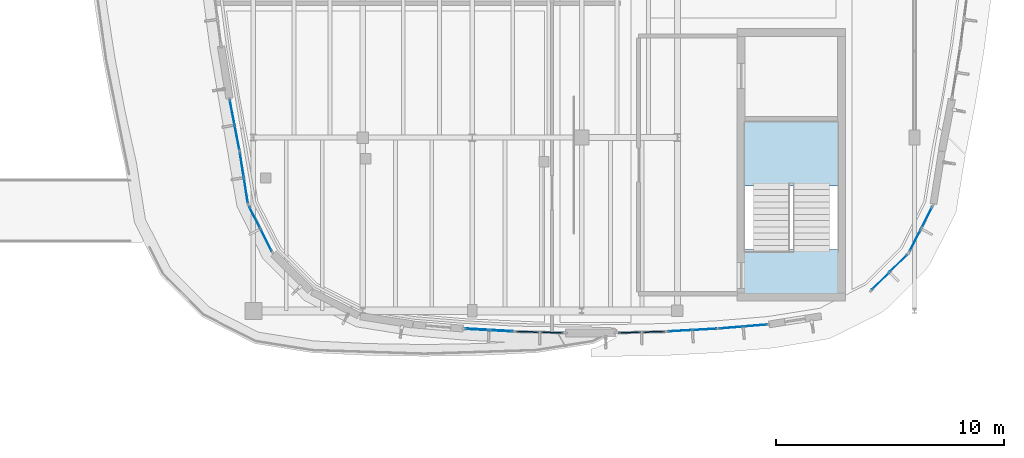
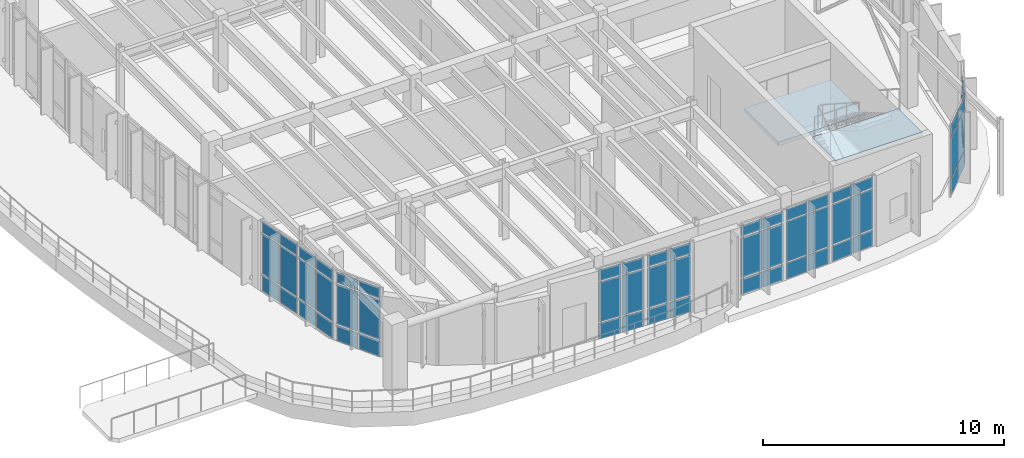
# One storey, part 71 of 105: 59 plates, 2 slabs, 11 elements without a shape of their own.
"""IFC4 building model written with IfcOpenShell, lengths in metres."""

from ifc_helpers import new_model, si_unit, direction, frame, origin, origin_2d, place, context, subcontext, project, spatial, polyline, rectangle, outline, extrude, material, layer, layer_set, type_object, element, aggregate, save


model = new_model("IFC4")

# Units and contexts
model_context = context("Model", 3, precision=1e-05, world=origin(), true_north=direction((0.0, 1.0)))
body_context = subcontext(model_context, "Body", "Model", "MODEL_VIEW")
ifc_project = project(units=[si_unit("LENGTHUNIT", "METRE"), si_unit("AREAUNIT", "SQUARE_METRE"), si_unit("VOLUMEUNIT", "CUBIC_METRE"), si_unit("PLANEANGLEUNIT", "RADIAN"), si_unit("MASSUNIT", "GRAM", prefix="KILO")], contexts=[model_context])

# Site, building, storey
site_placement = place(None, origin())
site = spatial("IfcSite", under=ifc_project, at=site_placement, CompositionType="ELEMENT")
building_placement = place(site_placement, origin())
building = spatial("IfcBuilding", under=site, at=building_placement, Name="Corveleigh Park Community Centre", CompositionType="ELEMENT")
storey_placement = place(building_placement, frame((0.0, 0.0, 8.699951171875)))
storey = spatial("IfcBuildingStorey", under=building, at=storey_placement, Name="L02", CompositionType="ELEMENT", Elevation=8.699951171875)

# Curtain wall, plates
ifc_material_1 = material(Name="Anodised aluminium 6063-T6", Category="aluminium")
curtain_wall_type = type_object("IfcCurtainWallType", Name="CW-SYS-V4-L01", PredefinedType="NOTDEFINED", material=ifc_material_1)
curtain_wall_1_placement = place(storey_placement, origin())
curtain_wall_1 = element("IfcCurtainWall", 1, at=curtain_wall_1_placement, inside=storey, type_object=curtain_wall_type, Name="V4 L02 Curtain Wall 361", PredefinedType="NOTDEFINED")
ifc_material_2 = material(Name="Low-E double glazing", Category="glass")
ifc_layer_1 = layer(ifc_material_2, 0.02392578125, Name="Low-E double glazing", Category="glass")
ifc_layer_set_1 = layer_set([ifc_layer_1], Name="Low-E double glazing")
plate_type_1 = type_object("IfcPlateType", Name="CWP-GLZ-24", PredefinedType="CURTAIN_PANEL", material=ifc_layer_set_1)
plate_1_placement = place(storey_placement, frame((159.19921875, 57.784423828125, 0.06005859375), z_axis=(0.0, 0.0, 1.0), x_axis=(-0.998456181902, -0.055545052181, 0.0)))
plate_1 = element("IfcPlate", 2, at=plate_1_placement, type_object=plate_type_1, Name="CW08 panel 1.1", PredefinedType="CURTAIN_PANEL", context=body_context, shape_type="SweptSolid", body=[
    extrude(rectangle(XDim=1.01708984375, YDim=0.02392578125, at=origin_2d()), origin(), (0.0, 0.0, 1.0), 0.81005859375),
])
plate_2_placement = place(storey_placement, frame((159.19921875, 57.784423828125, 0.93017578125), z_axis=(0.0, 0.0, 1.0), x_axis=(-0.998456181902, -0.055545052181, 0.0)))
plate_2 = element("IfcPlate", 3, at=plate_2_placement, type_object=plate_type_1, Name="CW08 panel 1.2", PredefinedType="CURTAIN_PANEL", context=body_context, shape_type="SweptSolid", body=[
    extrude(rectangle(XDim=1.01708984375, YDim=0.02392578125, at=origin_2d()), origin(), (0.0, 0.0, 1.0), 2.031982421875),
])
plate_3_placement = place(storey_placement, frame((159.19921875, 57.784423828125, 3.02197265625), z_axis=(0.0, 0.0, 1.0), x_axis=(-0.998456181902, -0.055545052181, 0.0)))
plate_3 = element("IfcPlate", 4, at=plate_3_placement, type_object=plate_type_1, Name="CW08 panel 1.3", PredefinedType="CURTAIN_PANEL", context=body_context, shape_type="SweptSolid", body=[
    extrude(rectangle(XDim=1.01708984375, YDim=0.02392578125, at=origin_2d()), origin(), (0.0, 0.0, 1.0), 0.56005859375),
])
plate_4_placement = place(storey_placement, frame((158.123779296875, 57.724609375, 0.06005859375), z_axis=(0.0, 0.0, 1.0), x_axis=(-0.998456181902, -0.055545052181, 0.0)))
plate_4 = element("IfcPlate", 5, at=plate_4_placement, type_object=plate_type_1, Name="CW08 panel 2.1", PredefinedType="CURTAIN_PANEL", context=body_context, shape_type="SweptSolid", body=[
    extrude(rectangle(XDim=1.01708984375, YDim=0.02392578125, at=origin_2d()), origin(), (0.0, 0.0, 1.0), 0.81005859375),
])
plate_5_placement = place(storey_placement, frame((158.123779296875, 57.724609375, 0.93017578125), z_axis=(0.0, 0.0, 1.0), x_axis=(-0.998456181902, -0.055545052181, 0.0)))
plate_5 = element("IfcPlate", 6, at=plate_5_placement, type_object=plate_type_1, Name="CW08 panel 2.2", PredefinedType="CURTAIN_PANEL", context=body_context, shape_type="SweptSolid", body=[
    extrude(rectangle(XDim=1.01708984375, YDim=0.02392578125, at=origin_2d()), origin(), (0.0, 0.0, 1.0), 2.031982421875),
])
plate_6_placement = place(storey_placement, frame((158.123779296875, 57.724609375, 3.02197265625), z_axis=(0.0, 0.0, 1.0), x_axis=(-0.998456181902, -0.055545052181, 0.0)))
plate_6 = element("IfcPlate", 7, at=plate_6_placement, type_object=plate_type_1, Name="CW08 panel 2.3", PredefinedType="CURTAIN_PANEL", context=body_context, shape_type="SweptSolid", body=[
    extrude(rectangle(XDim=1.01708984375, YDim=0.02392578125, at=origin_2d()), origin(), (0.0, 0.0, 1.0), 0.56005859375),
])
aggregate(curtain_wall_1, [plate_1, plate_2, plate_3, plate_4, plate_5, plate_6])

curtain_wall_2_placement = place(storey_placement, origin())
curtain_wall_2 = element("IfcCurtainWall", 8, at=curtain_wall_2_placement, inside=storey, type_object=curtain_wall_type, Name="V4 L02 Curtain Wall 362", PredefinedType="NOTDEFINED")
plate_7_placement = place(storey_placement, frame((161.42041015625, 57.9521484375, 0.06494140625), z_axis=(0.0, 0.0, 1.0), x_axis=(-0.996601713686, -0.082371258806, 0.0)))
plate_7 = element("IfcPlate", 9, at=plate_7_placement, type_object=plate_type_1, Name="CW08 panel 1.1", PredefinedType="CURTAIN_PANEL", context=body_context, shape_type="SweptSolid", body=[
    extrude(rectangle(XDim=1.00732421875, YDim=0.02392578125, at=origin_2d()), origin(), (0.0, 0.0, 1.0), 0.802490234375),
])
plate_8_placement = place(storey_placement, frame((161.42041015625, 57.9521484375, 0.9326171875), z_axis=(0.0, 0.0, 1.0), x_axis=(-0.996601713686, -0.082371258806, 0.0)))
plate_8 = element("IfcPlate", 10, at=plate_8_placement, type_object=plate_type_1, Name="CW08 panel 1.2", PredefinedType="CURTAIN_PANEL", context=body_context, shape_type="SweptSolid", body=[
    extrude(rectangle(XDim=1.00732421875, YDim=0.02392578125, at=origin_2d()), origin(), (0.0, 0.0, 1.0), 2.027099609375),
])
plate_9_placement = place(storey_placement, frame((161.42041015625, 57.9521484375, 3.0244140625), z_axis=(0.0, 0.0, 1.0), x_axis=(-0.996601713686, -0.082371258806, 0.0)))
plate_9 = element("IfcPlate", 11, at=plate_9_placement, type_object=plate_type_1, Name="CW08 panel 1.3", PredefinedType="CURTAIN_PANEL", context=body_context, shape_type="SweptSolid", body=[
    extrude(rectangle(XDim=1.00732421875, YDim=0.02392578125, at=origin_2d()), origin(), (0.0, 0.0, 1.0), 0.552490234375),
])
plate_10_placement = place(storey_placement, frame((160.351806640625, 57.86376953125, 0.06494140625), z_axis=(0.0, 0.0, 1.0), x_axis=(-0.996601713686, -0.082371258806, 0.0)))
plate_10 = element("IfcPlate", 12, at=plate_10_placement, type_object=plate_type_1, Name="CW08 panel 2.1", PredefinedType="CURTAIN_PANEL", context=body_context, shape_type="SweptSolid", body=[
    extrude(rectangle(XDim=1.00732421875, YDim=0.02392578125, at=origin_2d()), origin(), (0.0, 0.0, 1.0), 0.802490234375),
])
plate_11_placement = place(storey_placement, frame((160.351806640625, 57.86376953125, 0.9326171875), z_axis=(0.0, 0.0, 1.0), x_axis=(-0.996601713686, -0.082371258806, 0.0)))
plate_11 = element("IfcPlate", 13, at=plate_11_placement, type_object=plate_type_1, Name="CW08 panel 2.2", PredefinedType="CURTAIN_PANEL", context=body_context, shape_type="SweptSolid", body=[
    extrude(rectangle(XDim=1.00732421875, YDim=0.02392578125, at=origin_2d()), origin(), (0.0, 0.0, 1.0), 2.027099609375),
])
plate_12_placement = place(storey_placement, frame((160.351806640625, 57.86376953125, 3.0244140625), z_axis=(0.0, 0.0, 1.0), x_axis=(-0.996601713686, -0.082371258806, 0.0)))
plate_12 = element("IfcPlate", 14, at=plate_12_placement, type_object=plate_type_1, Name="CW08 panel 2.3", PredefinedType="CURTAIN_PANEL", context=body_context, shape_type="SweptSolid", body=[
    extrude(rectangle(XDim=1.00732421875, YDim=0.02392578125, at=origin_2d()), origin(), (0.0, 0.0, 1.0), 0.552490234375),
])
aggregate(curtain_wall_2, [plate_7, plate_8, plate_9, plate_10, plate_11, plate_12])

curtain_wall_3_placement = place(storey_placement, origin())
curtain_wall_3 = element("IfcCurtainWall", 15, at=curtain_wall_3_placement, inside=storey, type_object=curtain_wall_type, Name="V4 L02 Curtain Wall 397", PredefinedType="NOTDEFINED")
plate_13_placement = place(storey_placement, frame((138.68505859375, 66.195068359375, 0.06494140625), z_axis=(0.0, 0.0, 1.0), x_axis=(-0.189086474176, 0.981960439775, 0.0)))
plate_13 = element("IfcPlate", 16, at=plate_13_placement, type_object=plate_type_1, Name="CW08 panel 1.1", PredefinedType="CURTAIN_PANEL", context=body_context, shape_type="SweptSolid", body=[
    extrude(rectangle(XDim=1.073486328125, YDim=0.02392578125, at=origin_2d()), origin(), (0.0, 0.0, 1.0), 0.802490234375),
])
plate_14_placement = place(storey_placement, frame((138.68505859375, 66.195068359375, 0.9326171875), z_axis=(0.0, 0.0, 1.0), x_axis=(-0.189086474176, 0.981960439775, 0.0)))
plate_14 = element("IfcPlate", 17, at=plate_14_placement, type_object=plate_type_1, Name="CW08 panel 1.2", PredefinedType="CURTAIN_PANEL", context=body_context, shape_type="SweptSolid", body=[
    extrude(rectangle(XDim=1.073486328125, YDim=0.02392578125, at=origin_2d()), origin(), (0.0, 0.0, 1.0), 2.02197265625),
])
plate_15_placement = place(storey_placement, frame((138.68505859375, 66.195068359375, 3.01953125), z_axis=(0.0, 0.0, 1.0), x_axis=(-0.189086474176, 0.981960439775, 0.0)))
plate_15 = element("IfcPlate", 18, at=plate_15_placement, type_object=plate_type_1, Name="CW08 panel 1.3", PredefinedType="CURTAIN_PANEL", context=body_context, shape_type="SweptSolid", body=[
    extrude(rectangle(XDim=1.073486328125, YDim=0.02392578125, at=origin_2d()), origin(), (0.0, 0.0, 1.0), 0.552490234375),
])
plate_16_placement = place(storey_placement, frame((138.470947265625, 67.30810546875, 0.06494140625), z_axis=(0.0, 0.0, 1.0), x_axis=(-0.189086474176, 0.981960439775, 0.0)))
plate_16 = element("IfcPlate", 19, at=plate_16_placement, type_object=plate_type_1, Name="CW08 panel 2.1", PredefinedType="CURTAIN_PANEL", context=body_context, shape_type="SweptSolid", body=[
    extrude(rectangle(XDim=1.073486328125, YDim=0.02392578125, at=origin_2d()), origin(), (0.0, 0.0, 1.0), 0.802490234375),
])
plate_17_placement = place(storey_placement, frame((138.470947265625, 67.30810546875, 0.9326171875), z_axis=(0.0, 0.0, 1.0), x_axis=(-0.189086474176, 0.981960439775, 0.0)))
plate_17 = element("IfcPlate", 20, at=plate_17_placement, type_object=plate_type_1, Name="CW08 panel 2.2", PredefinedType="CURTAIN_PANEL", context=body_context, shape_type="SweptSolid", body=[
    extrude(rectangle(XDim=1.073486328125, YDim=0.02392578125, at=origin_2d()), origin(), (0.0, 0.0, 1.0), 2.02197265625),
])
plate_18_placement = place(storey_placement, frame((138.470947265625, 67.30810546875, 3.01953125), z_axis=(0.0, 0.0, 1.0), x_axis=(-0.189086474176, 0.981960439775, 0.0)))
plate_18 = element("IfcPlate", 21, at=plate_18_placement, type_object=plate_type_1, Name="CW08 panel 2.3", PredefinedType="CURTAIN_PANEL", context=body_context, shape_type="SweptSolid", body=[
    extrude(rectangle(XDim=1.073486328125, YDim=0.02392578125, at=origin_2d()), origin(), (0.0, 0.0, 1.0), 0.552490234375),
])
aggregate(curtain_wall_3, [plate_13, plate_14, plate_15, plate_16, plate_17, plate_18])

curtain_wall_4_placement = place(storey_placement, origin())
curtain_wall_4 = element("IfcCurtainWall", 22, at=curtain_wall_4_placement, inside=storey, type_object=curtain_wall_type, Name="V4 L02 Curtain Wall 398", PredefinedType="NOTDEFINED")
plate_19_placement = place(storey_placement, frame((139.072265625, 63.880615234375, 0.070068359375), z_axis=(0.0, 0.0, 1.0), x_axis=(-0.156601470208, 0.987661875101, 0.0)))
plate_19 = element("IfcPlate", 23, at=plate_19_placement, type_object=plate_type_1, Name="CW08 panel 1.1", PredefinedType="CURTAIN_PANEL", context=body_context, shape_type="SweptSolid", body=[
    extrude(rectangle(XDim=1.06787109375, YDim=0.02392578125, at=origin_2d()), origin(), (0.0, 0.0, 1.0), 0.794921875),
])
plate_20_placement = place(storey_placement, frame((139.072265625, 63.880615234375, 0.93505859375), z_axis=(0.0, 0.0, 1.0), x_axis=(-0.156601470208, 0.987661875101, 0.0)))
plate_20 = element("IfcPlate", 24, at=plate_20_placement, type_object=plate_type_1, Name="CW08 panel 1.2", PredefinedType="CURTAIN_PANEL", context=body_context, shape_type="SweptSolid", body=[
    extrude(rectangle(XDim=1.06787109375, YDim=0.02392578125, at=origin_2d()), origin(), (0.0, 0.0, 1.0), 2.01708984375),
])
plate_21_placement = place(storey_placement, frame((139.072265625, 63.880615234375, 3.02197265625), z_axis=(0.0, 0.0, 1.0), x_axis=(-0.156601470208, 0.987661875101, 0.0)))
plate_21 = element("IfcPlate", 25, at=plate_21_placement, type_object=plate_type_1, Name="CW08 panel 1.3", PredefinedType="CURTAIN_PANEL", context=body_context, shape_type="SweptSolid", body=[
    extrude(rectangle(XDim=1.06787109375, YDim=0.02392578125, at=origin_2d()), origin(), (0.0, 0.0, 1.0), 0.544921875),
])
plate_22_placement = place(storey_placement, frame((138.894775390625, 64.99951171875, 0.070068359375), z_axis=(0.0, 0.0, 1.0), x_axis=(-0.156601470208, 0.987661875101, 0.0)))
plate_22 = element("IfcPlate", 26, at=plate_22_placement, type_object=plate_type_1, Name="CW08 panel 2.1", PredefinedType="CURTAIN_PANEL", context=body_context, shape_type="SweptSolid", body=[
    extrude(rectangle(XDim=1.06787109375, YDim=0.02392578125, at=origin_2d()), origin(), (0.0, 0.0, 1.0), 0.794921875),
])
plate_23_placement = place(storey_placement, frame((138.894775390625, 64.99951171875, 0.93505859375), z_axis=(0.0, 0.0, 1.0), x_axis=(-0.156601470208, 0.987661875101, 0.0)))
plate_23 = element("IfcPlate", 27, at=plate_23_placement, type_object=plate_type_1, Name="CW08 panel 2.2", PredefinedType="CURTAIN_PANEL", context=body_context, shape_type="SweptSolid", body=[
    extrude(rectangle(XDim=1.06787109375, YDim=0.02392578125, at=origin_2d()), origin(), (0.0, 0.0, 1.0), 2.01708984375),
])
plate_24_placement = place(storey_placement, frame((138.894775390625, 64.99951171875, 3.02197265625), z_axis=(0.0, 0.0, 1.0), x_axis=(-0.156601470208, 0.987661875101, 0.0)))
plate_24 = element("IfcPlate", 28, at=plate_24_placement, type_object=plate_type_1, Name="CW08 panel 2.3", PredefinedType="CURTAIN_PANEL", context=body_context, shape_type="SweptSolid", body=[
    extrude(rectangle(XDim=1.06787109375, YDim=0.02392578125, at=origin_2d()), origin(), (0.0, 0.0, 1.0), 0.544921875),
])
aggregate(curtain_wall_4, [plate_19, plate_20, plate_21, plate_22, plate_23, plate_24])

curtain_wall_5_placement = place(storey_placement, origin())
curtain_wall_5 = element("IfcCurtainWall", 29, at=curtain_wall_5_placement, inside=storey, type_object=curtain_wall_type, Name="V4 L02 Curtain Wall 363", PredefinedType="NOTDEFINED")
ifc_layer_2 = layer(ifc_material_2, 0.028076171875, Name="Low-E double glazing", Category="glass")
ifc_layer_set_2 = layer_set([ifc_layer_2], Name="Low-E double glazing")
plate_type_2 = type_object("IfcPlateType", Name="CWP-GLZ-28", PredefinedType="CURTAIN_PANEL", material=ifc_layer_set_2)
plate_25_placement = place(storey_placement, frame((167.70263671875, 60.6865234375, 0.070068359375), z_axis=(0.0, 0.0, 1.0), x_axis=(-0.707106781187, -0.707106781187, 0.0)))
plate_25 = element("IfcPlate", 30, at=plate_25_placement, type_object=plate_type_2, Name="CW08 panel 1.1", PredefinedType="CURTAIN_PANEL", context=body_context, shape_type="SweptSolid", body=[
    extrude(rectangle(XDim=1.046142578125, YDim=0.028076171875, at=origin_2d()), origin(), (0.0, 0.0, 1.0), 0.794921875),
])
plate_26_placement = place(storey_placement, frame((167.70263671875, 60.6865234375, 0.93505859375), z_axis=(0.0, 0.0, 1.0), x_axis=(-0.707106781187, -0.707106781187, 0.0)))
plate_26 = element("IfcPlate", 31, at=plate_26_placement, type_object=plate_type_2, Name="CW08 panel 1.2", PredefinedType="CURTAIN_PANEL", context=body_context, shape_type="SweptSolid", body=[
    extrude(rectangle(XDim=1.046142578125, YDim=0.028076171875, at=origin_2d()), origin(), (0.0, 0.0, 1.0), 2.02197265625),
])
plate_27_placement = place(storey_placement, frame((167.70263671875, 60.6865234375, 3.027099609375), z_axis=(0.0, 0.0, 1.0), x_axis=(-0.707106781187, -0.707106781187, 0.0)))
plate_27 = element("IfcPlate", 32, at=plate_27_placement, type_object=plate_type_2, Name="CW08 panel 1.3", PredefinedType="CURTAIN_PANEL", context=body_context, shape_type="SweptSolid", body=[
    extrude(rectangle(XDim=1.046142578125, YDim=0.028076171875, at=origin_2d()), origin(), (0.0, 0.0, 1.0), 0.544921875),
])
plate_28_placement = place(storey_placement, frame((166.913330078125, 59.8974609375, 0.070068359375), z_axis=(0.0, 0.0, 1.0), x_axis=(-0.707106781187, -0.707106781187, 0.0)))
plate_28 = element("IfcPlate", 33, at=plate_28_placement, type_object=plate_type_2, Name="CW08 panel 2.1", PredefinedType="CURTAIN_PANEL", context=body_context, shape_type="SweptSolid", body=[
    extrude(rectangle(XDim=1.046142578125, YDim=0.028076171875, at=origin_2d()), origin(), (0.0, 0.0, 1.0), 0.794921875),
])
plate_29_placement = place(storey_placement, frame((166.913330078125, 59.8974609375, 0.93505859375), z_axis=(0.0, 0.0, 1.0), x_axis=(-0.707106781187, -0.707106781187, 0.0)))
plate_29 = element("IfcPlate", 34, at=plate_29_placement, type_object=plate_type_2, Name="CW08 panel 2.2", PredefinedType="CURTAIN_PANEL", context=body_context, shape_type="SweptSolid", body=[
    extrude(rectangle(XDim=1.046142578125, YDim=0.028076171875, at=origin_2d()), origin(), (0.0, 0.0, 1.0), 2.02197265625),
])
plate_30_placement = place(storey_placement, frame((166.913330078125, 59.8974609375, 3.027099609375), z_axis=(0.0, 0.0, 1.0), x_axis=(-0.707106781187, -0.707106781187, 0.0)))
plate_30 = element("IfcPlate", 35, at=plate_30_placement, type_object=plate_type_2, Name="CW08 panel 2.3", PredefinedType="CURTAIN_PANEL", context=body_context, shape_type="SweptSolid", body=[
    extrude(rectangle(XDim=1.046142578125, YDim=0.028076171875, at=origin_2d()), origin(), (0.0, 0.0, 1.0), 0.544921875),
])
aggregate(curtain_wall_5, [plate_25, plate_26, plate_27, plate_28, plate_29, plate_30])

curtain_wall_6_placement = place(storey_placement, origin())
curtain_wall_6 = element("IfcCurtainWall", 36, at=curtain_wall_6_placement, inside=storey, type_object=curtain_wall_type, Name="V4 L02 Curtain Wall 364", PredefinedType="NOTDEFINED")
plate_31_placement = place(storey_placement, frame((168.941162109375, 62.687744140625, 0.074951171875), z_axis=(0.0, 0.0, 1.0), x_axis=(-0.454153628935, -0.8909233869, 0.0)))
plate_31 = element("IfcPlate", 37, at=plate_31_placement, type_object=plate_type_2, Name="CW08 panel 1.1", PredefinedType="CURTAIN_PANEL", context=body_context, shape_type="SweptSolid", body=[
    extrude(rectangle(XDim=1.0380859375, YDim=0.028076171875, at=origin_2d()), origin(), (0.0, 0.0, 1.0), 0.78759765625),
])
plate_32_placement = place(storey_placement, frame((168.941162109375, 62.687744140625, 0.9375), z_axis=(0.0, 0.0, 1.0), x_axis=(-0.454153628935, -0.8909233869, 0.0)))
plate_32 = element("IfcPlate", 38, at=plate_32_placement, type_object=plate_type_2, Name="CW08 panel 1.2", PredefinedType="CURTAIN_PANEL", context=body_context, shape_type="SweptSolid", body=[
    extrude(rectangle(XDim=1.0380859375, YDim=0.028076171875, at=origin_2d()), origin(), (0.0, 0.0, 1.0), 2.01708984375),
])
plate_33_placement = place(storey_placement, frame((168.435791015625, 61.6962890625, 0.074951171875), z_axis=(0.0, 0.0, 1.0), x_axis=(-0.454153628935, -0.8909233869, 0.0)))
plate_33 = element("IfcPlate", 39, at=plate_33_placement, type_object=plate_type_2, Name="CW08 panel 2.1", PredefinedType="CURTAIN_PANEL", context=body_context, shape_type="SweptSolid", body=[
    extrude(rectangle(XDim=1.0380859375, YDim=0.028076171875, at=origin_2d()), origin(), (0.0, 0.0, 1.0), 0.78759765625),
])
plate_34_placement = place(storey_placement, frame((168.435791015625, 61.6962890625, 0.9375), z_axis=(0.0, 0.0, 1.0), x_axis=(-0.454153628935, -0.8909233869, 0.0)))
plate_34 = element("IfcPlate", 40, at=plate_34_placement, type_object=plate_type_2, Name="CW08 panel 2.2", PredefinedType="CURTAIN_PANEL", context=body_context, shape_type="SweptSolid", body=[
    extrude(rectangle(XDim=1.0380859375, YDim=0.028076171875, at=origin_2d()), origin(), (0.0, 0.0, 1.0), 2.01708984375),
])
plate_35_placement = place(storey_placement, frame((168.435791015625, 61.6962890625, 3.029541015625), z_axis=(0.0, 0.0, 1.0), x_axis=(-0.454153628935, -0.8909233869, 0.0)))
plate_35 = element("IfcPlate", 41, at=plate_35_placement, type_object=plate_type_2, Name="CW08 panel 2.3", PredefinedType="CURTAIN_PANEL", context=body_context, shape_type="SweptSolid", body=[
    extrude(rectangle(XDim=1.0380859375, YDim=0.028076171875, at=origin_2d()), origin(), (0.0, 0.0, 1.0), 0.53759765625),
])
aggregate(curtain_wall_6, [plate_31, plate_32, plate_33, plate_34, plate_35])

curtain_wall_7_placement = place(storey_placement, origin())
curtain_wall_7 = element("IfcCurtainWall", 42, at=curtain_wall_7_placement, inside=storey, type_object=curtain_wall_type, Name="V4 L02 Curtain Wall 399", PredefinedType="NOTDEFINED")
plate_36_placement = place(storey_placement, frame((139.96484375, 61.695068359375, 0.074951171875), z_axis=(0.0, 0.0, 1.0), x_axis=(-0.454153628935, 0.8909233869, 0.0)))
plate_36 = element("IfcPlate", 43, at=plate_36_placement, type_object=plate_type_2, Name="CW08 panel 1.1", PredefinedType="CURTAIN_PANEL", context=body_context, shape_type="SweptSolid", body=[
    extrude(rectangle(XDim=1.04541015625, YDim=0.028076171875, at=origin_2d()), origin(), (0.0, 0.0, 1.0), 0.78759765625),
])
plate_37_placement = place(storey_placement, frame((139.96484375, 61.695068359375, 0.9375), z_axis=(0.0, 0.0, 1.0), x_axis=(-0.454153628935, 0.8909233869, 0.0)))
plate_37 = element("IfcPlate", 44, at=plate_37_placement, type_object=plate_type_2, Name="CW08 panel 1.2", PredefinedType="CURTAIN_PANEL", context=body_context, shape_type="SweptSolid", body=[
    extrude(rectangle(XDim=1.04541015625, YDim=0.028076171875, at=origin_2d()), origin(), (0.0, 0.0, 1.0), 2.011962890625),
])
plate_38_placement = place(storey_placement, frame((139.96484375, 61.695068359375, 3.0244140625), z_axis=(0.0, 0.0, 1.0), x_axis=(-0.454153628935, 0.8909233869, 0.0)))
plate_38 = element("IfcPlate", 45, at=plate_38_placement, type_object=plate_type_2, Name="CW08 panel 1.3", PredefinedType="CURTAIN_PANEL", context=body_context, shape_type="SweptSolid", body=[
    extrude(rectangle(XDim=1.04541015625, YDim=0.028076171875, at=origin_2d()), origin(), (0.0, 0.0, 1.0), 0.53759765625),
])
plate_39_placement = place(storey_placement, frame((139.458251953125, 62.68896484375, 0.074951171875), z_axis=(0.0, 0.0, 1.0), x_axis=(-0.454153628935, 0.8909233869, 0.0)))
plate_39 = element("IfcPlate", 46, at=plate_39_placement, type_object=plate_type_2, Name="CW08 panel 2.1", PredefinedType="CURTAIN_PANEL", context=body_context, shape_type="SweptSolid", body=[
    extrude(rectangle(XDim=1.04541015625, YDim=0.028076171875, at=origin_2d()), origin(), (0.0, 0.0, 1.0), 0.78759765625),
])
plate_40_placement = place(storey_placement, frame((139.458251953125, 62.68896484375, 0.9375), z_axis=(0.0, 0.0, 1.0), x_axis=(-0.454153628935, 0.8909233869, 0.0)))
plate_40 = element("IfcPlate", 47, at=plate_40_placement, type_object=plate_type_2, Name="CW08 panel 2.2", PredefinedType="CURTAIN_PANEL", context=body_context, shape_type="SweptSolid", body=[
    extrude(rectangle(XDim=1.04541015625, YDim=0.028076171875, at=origin_2d()), origin(), (0.0, 0.0, 1.0), 2.011962890625),
])
plate_41_placement = place(storey_placement, frame((139.458251953125, 62.68896484375, 3.0244140625), z_axis=(0.0, 0.0, 1.0), x_axis=(-0.454153628935, 0.8909233869, 0.0)))
plate_41 = element("IfcPlate", 48, at=plate_41_placement, type_object=plate_type_2, Name="CW08 panel 2.3", PredefinedType="CURTAIN_PANEL", context=body_context, shape_type="SweptSolid", body=[
    extrude(rectangle(XDim=1.04541015625, YDim=0.028076171875, at=origin_2d()), origin(), (0.0, 0.0, 1.0), 0.53759765625),
])
aggregate(curtain_wall_7, [plate_36, plate_37, plate_38, plate_39, plate_40, plate_41])

curtain_wall_8_placement = place(storey_placement, origin())
curtain_wall_8 = element("IfcCurtainWall", 49, at=curtain_wall_8_placement, inside=storey, type_object=curtain_wall_type, Name="V4 L02 Curtain Wall 358", PredefinedType="NOTDEFINED")
ifc_layer_3 = layer(ifc_material_2, 0.0400390625, Name="Low-E double glazing", Category="glass")
ifc_layer_set_3 = layer_set([ifc_layer_3], Name="Low-E double glazing")
plate_type_3 = type_object("IfcPlateType", Name="CWP-GLZ-40", PredefinedType="CURTAIN_PANEL", material=ifc_layer_set_3)
plate_42_placement = place(storey_placement, frame((150.2724609375, 57.724853515625, 0.070068359375), z_axis=(0.0, 0.0, 1.0), x_axis=(-0.998456181902, 0.055545052181, 0.0)))
plate_42 = element("IfcPlate", 50, at=plate_42_placement, type_object=plate_type_3, Name="CW08 panel 1.1", PredefinedType="CURTAIN_PANEL", context=body_context, shape_type="SweptSolid", body=[
    extrude(rectangle(XDim=0.99462890625, YDim=0.0400390625, at=origin_2d()), origin(), (0.0, 0.0, 1.0), 0.794921875),
])
plate_43_placement = place(storey_placement, frame((150.2724609375, 57.724853515625, 0.93505859375), z_axis=(0.0, 0.0, 1.0), x_axis=(-0.998456181902, 0.055545052181, 0.0)))
plate_43 = element("IfcPlate", 51, at=plate_43_placement, type_object=plate_type_3, Name="CW08 panel 1.2", PredefinedType="CURTAIN_PANEL", context=body_context, shape_type="SweptSolid", body=[
    extrude(rectangle(XDim=0.99462890625, YDim=0.0400390625, at=origin_2d()), origin(), (0.0, 0.0, 1.0), 2.01708984375),
])
plate_44_placement = place(storey_placement, frame((150.2724609375, 57.724853515625, 3.02197265625), z_axis=(0.0, 0.0, 1.0), x_axis=(-0.998456181902, 0.055545052181, 0.0)))
plate_44 = element("IfcPlate", 52, at=plate_44_placement, type_object=plate_type_3, Name="CW08 panel 1.3", PredefinedType="CURTAIN_PANEL", context=body_context, shape_type="SweptSolid", body=[
    extrude(rectangle(XDim=0.99462890625, YDim=0.0400390625, at=origin_2d()), origin(), (0.0, 0.0, 1.0), 0.544921875),
])
plate_45_placement = place(storey_placement, frame((149.20458984375, 57.7841796875, 0.070068359375), z_axis=(0.0, 0.0, 1.0), x_axis=(-0.998456181902, 0.055545052181, 0.0)))
plate_45 = element("IfcPlate", 53, at=plate_45_placement, type_object=plate_type_3, Name="CW08 panel 2.1", PredefinedType="CURTAIN_PANEL", context=body_context, shape_type="SweptSolid", body=[
    extrude(rectangle(XDim=0.99462890625, YDim=0.0400390625, at=origin_2d()), origin(), (0.0, 0.0, 1.0), 0.794921875),
])
plate_46_placement = place(storey_placement, frame((149.20458984375, 57.7841796875, 0.93505859375), z_axis=(0.0, 0.0, 1.0), x_axis=(-0.998456181902, 0.055545052181, 0.0)))
plate_46 = element("IfcPlate", 54, at=plate_46_placement, type_object=plate_type_3, Name="CW08 panel 2.2", PredefinedType="CURTAIN_PANEL", context=body_context, shape_type="SweptSolid", body=[
    extrude(rectangle(XDim=0.99462890625, YDim=0.0400390625, at=origin_2d()), origin(), (0.0, 0.0, 1.0), 2.01708984375),
])
plate_47_placement = place(storey_placement, frame((149.20458984375, 57.7841796875, 3.02197265625), z_axis=(0.0, 0.0, 1.0), x_axis=(-0.998456181902, 0.055545052181, 0.0)))
plate_47 = element("IfcPlate", 55, at=plate_47_placement, type_object=plate_type_3, Name="CW08 panel 2.3", PredefinedType="CURTAIN_PANEL", context=body_context, shape_type="SweptSolid", body=[
    extrude(rectangle(XDim=0.99462890625, YDim=0.0400390625, at=origin_2d()), origin(), (0.0, 0.0, 1.0), 0.544921875),
])
aggregate(curtain_wall_8, [plate_42, plate_43, plate_44, plate_45, plate_46, plate_47])

curtain_wall_9_placement = place(storey_placement, origin())
curtain_wall_9 = element("IfcCurtainWall", 56, at=curtain_wall_9_placement, inside=storey, type_object=curtain_wall_type, Name="V4 L02 Curtain Wall 359", PredefinedType="NOTDEFINED")
ifc_layer_4 = layer(ifc_material_2, 0.0439453125, Name="Low-E double glazing", Category="glass")
ifc_layer_set_4 = layer_set([ifc_layer_4], Name="Low-E double glazing")
plate_type_4 = type_object("IfcPlateType", Name="CWP-GLZ-44", PredefinedType="CURTAIN_PANEL", material=ifc_layer_set_4)
plate_48_placement = place(storey_placement, frame((152.501708984375, 57.64697265625, 0.074951171875), z_axis=(0.0, 0.0, 1.0), x_axis=(-0.999607775259, 0.028005278833, 0.0)))
plate_48 = element("IfcPlate", 57, at=plate_48_placement, type_object=plate_type_4, Name="CW08 panel 1.1", PredefinedType="CURTAIN_PANEL", context=body_context, shape_type="SweptSolid", body=[
    extrude(rectangle(XDim=0.98681640625, YDim=0.0439453125, at=origin_2d()), origin(), (0.0, 0.0, 1.0), 0.78759765625),
])
plate_49_placement = place(storey_placement, frame((152.501708984375, 57.64697265625, 0.9375), z_axis=(0.0, 0.0, 1.0), x_axis=(-0.999607775259, 0.028005278833, 0.0)))
plate_49 = element("IfcPlate", 58, at=plate_49_placement, type_object=plate_type_4, Name="CW08 panel 1.2", PredefinedType="CURTAIN_PANEL", context=body_context, shape_type="SweptSolid", body=[
    extrude(rectangle(XDim=0.98681640625, YDim=0.0439453125, at=origin_2d()), origin(), (0.0, 0.0, 1.0), 2.011962890625),
])
plate_50_placement = place(storey_placement, frame((152.501708984375, 57.64697265625, 3.0244140625), z_axis=(0.0, 0.0, 1.0), x_axis=(-0.999607775259, 0.028005278833, 0.0)))
plate_50 = element("IfcPlate", 59, at=plate_50_placement, type_object=plate_type_4, Name="CW08 panel 1.3", PredefinedType="CURTAIN_PANEL", context=body_context, shape_type="SweptSolid", body=[
    extrude(rectangle(XDim=0.98681640625, YDim=0.0439453125, at=origin_2d()), origin(), (0.0, 0.0, 1.0), 0.53759765625),
])
plate_51_placement = place(storey_placement, frame((151.435302734375, 57.677001953125, 0.074951171875), z_axis=(0.0, 0.0, 1.0), x_axis=(-0.999607775259, 0.028005278833, 0.0)))
plate_51 = element("IfcPlate", 60, at=plate_51_placement, type_object=plate_type_4, Name="CW08 panel 2.1", PredefinedType="CURTAIN_PANEL", context=body_context, shape_type="SweptSolid", body=[
    extrude(rectangle(XDim=0.98681640625, YDim=0.0439453125, at=origin_2d()), origin(), (0.0, 0.0, 1.0), 0.78759765625),
])
plate_52_placement = place(storey_placement, frame((151.435302734375, 57.677001953125, 0.9375), z_axis=(0.0, 0.0, 1.0), x_axis=(-0.999607775259, 0.028005278833, 0.0)))
plate_52 = element("IfcPlate", 61, at=plate_52_placement, type_object=plate_type_4, Name="CW08 panel 2.2", PredefinedType="CURTAIN_PANEL", context=body_context, shape_type="SweptSolid", body=[
    extrude(rectangle(XDim=0.98681640625, YDim=0.0439453125, at=origin_2d()), origin(), (0.0, 0.0, 1.0), 2.011962890625),
])
plate_53_placement = place(storey_placement, frame((151.435302734375, 57.677001953125, 3.0244140625), z_axis=(0.0, 0.0, 1.0), x_axis=(-0.999607775259, 0.028005278833, 0.0)))
plate_53 = element("IfcPlate", 62, at=plate_53_placement, type_object=plate_type_4, Name="CW08 panel 2.3", PredefinedType="CURTAIN_PANEL", context=body_context, shape_type="SweptSolid", body=[
    extrude(rectangle(XDim=0.98681640625, YDim=0.0439453125, at=origin_2d()), origin(), (0.0, 0.0, 1.0), 0.53759765625),
])
aggregate(curtain_wall_9, [plate_48, plate_49, plate_50, plate_51, plate_52, plate_53])

curtain_wall_10_placement = place(storey_placement, origin())
curtain_wall_10 = element("IfcCurtainWall", 63, at=curtain_wall_10_placement, inside=storey, type_object=curtain_wall_type, Name="V4 L02 Curtain Wall 360", PredefinedType="NOTDEFINED")
plate_54_placement = place(storey_placement, frame((156.963623046875, 57.677001953125, 0.080078125), z_axis=(0.0, 0.0, 1.0), x_axis=(-0.999607775259, -0.028005278833, 0.0)))
plate_54 = element("IfcPlate", 64, at=plate_54_placement, type_object=plate_type_4, Name="CW08 panel 1.1", PredefinedType="CURTAIN_PANEL", context=body_context, shape_type="SweptSolid", body=[
    extrude(rectangle(XDim=0.9794921875, YDim=0.0439453125, at=origin_2d()), origin(), (0.0, 0.0, 1.0), 0.780029296875),
])
plate_55_placement = place(storey_placement, frame((156.963623046875, 57.677001953125, 0.93994140625), z_axis=(0.0, 0.0, 1.0), x_axis=(-0.999607775259, -0.028005278833, 0.0)))
plate_55 = element("IfcPlate", 65, at=plate_55_placement, type_object=plate_type_4, Name="CW08 panel 1.2", PredefinedType="CURTAIN_PANEL", context=body_context, shape_type="SweptSolid", body=[
    extrude(rectangle(XDim=0.9794921875, YDim=0.0439453125, at=origin_2d()), origin(), (0.0, 0.0, 1.0), 2.007080078125),
])
plate_56_placement = place(storey_placement, frame((156.963623046875, 57.677001953125, 3.02685546875), z_axis=(0.0, 0.0, 1.0), x_axis=(-0.999607775259, -0.028005278833, 0.0)))
plate_56 = element("IfcPlate", 66, at=plate_56_placement, type_object=plate_type_4, Name="CW08 panel 1.3", PredefinedType="CURTAIN_PANEL", context=body_context, shape_type="SweptSolid", body=[
    extrude(rectangle(XDim=0.9794921875, YDim=0.0439453125, at=origin_2d()), origin(), (0.0, 0.0, 1.0), 0.530029296875),
])
plate_57_placement = place(storey_placement, frame((155.8994140625, 57.647216796875, 0.080078125), z_axis=(0.0, 0.0, 1.0), x_axis=(-0.999607775259, -0.028005278833, 0.0)))
plate_57 = element("IfcPlate", 67, at=plate_57_placement, type_object=plate_type_4, Name="CW08 panel 2.1", PredefinedType="CURTAIN_PANEL", context=body_context, shape_type="SweptSolid", body=[
    extrude(rectangle(XDim=0.9794921875, YDim=0.0439453125, at=origin_2d()), origin(), (0.0, 0.0, 1.0), 0.780029296875),
])
plate_58_placement = place(storey_placement, frame((155.8994140625, 57.647216796875, 0.93994140625), z_axis=(0.0, 0.0, 1.0), x_axis=(-0.999607775259, -0.028005278833, 0.0)))
plate_58 = element("IfcPlate", 68, at=plate_58_placement, type_object=plate_type_4, Name="CW08 panel 2.2", PredefinedType="CURTAIN_PANEL", context=body_context, shape_type="SweptSolid", body=[
    extrude(rectangle(XDim=0.9794921875, YDim=0.0439453125, at=origin_2d()), origin(), (0.0, 0.0, 1.0), 2.007080078125),
])
plate_59_placement = place(storey_placement, frame((155.8994140625, 57.647216796875, 3.02685546875), z_axis=(0.0, 0.0, 1.0), x_axis=(-0.999607775259, -0.028005278833, 0.0)))
plate_59 = element("IfcPlate", 69, at=plate_59_placement, type_object=plate_type_4, Name="CW08 panel 2.3", PredefinedType="CURTAIN_PANEL", context=body_context, shape_type="SweptSolid", body=[
    extrude(rectangle(XDim=0.9794921875, YDim=0.0439453125, at=origin_2d()), origin(), (0.0, 0.0, 1.0), 0.530029296875),
])
aggregate(curtain_wall_10, [plate_54, plate_55, plate_56, plate_57, plate_58, plate_59])

# Stair, slabs
ifc_material_3 = material(Name="Concrete C32/40", Category="concrete")
stair_type = type_object("IfcStairType", Name="STR-HT-1600-390", PredefinedType="USERDEFINED", material=ifc_material_3)
stair_placement = place(storey_placement, origin())
stair = element("IfcStair", 70, at=stair_placement, inside=storey, type_object=stair_type, Name="Protected escape stair ST1 (L02 to L03)", ObjectType="TWO_RETURN_STAIR", PredefinedType="USERDEFINED")
ifc_layer_5 = layer(ifc_material_3, 0.18798828125, Name="Concrete C32/40", Category="concrete")
ifc_layer_set_5 = layer_set([ifc_layer_5], Name="Concrete C32/40")
slab_type = type_object("IfcSlabType", Name="SLB-LND-188", PredefinedType="LANDING", material=ifc_layer_set_5)
slab_1_placement = place(storey_placement, frame((0.0, 0.0, 1.761962890625)))
slab_1 = element("IfcSlab", 71, at=slab_1_placement, type_object=slab_type, Name="ST1 half landing", PredefinedType="LANDING", context=body_context, shape_type="SweptSolid", body=[
    extrude(outline(polyline([(160.927001953125, 64.0849609375), (165.072998046875, 64.0849609375), (165.072998046875, 66.923095703125), (160.927001953125, 66.923095703125), (160.927001953125, 64.0849609375)])), origin(), (0.0, 0.0, 1.0), 0.18798828125),
])
slab_2_placement = place(storey_placement, frame((0.0, 0.0, 3.712158203125)))
slab_2 = element("IfcSlab", 72, at=slab_2_placement, type_object=slab_type, Name="ST1 upper landing", PredefinedType="LANDING", context=body_context, shape_type="SweptSolid", body=[
    extrude(outline(polyline([(160.927001953125, 59.326904296875), (165.072998046875, 59.326904296875), (165.072998046875, 61.300048828125), (160.927001953125, 61.300048828125), (160.927001953125, 59.326904296875)])), origin(), (0.0, 0.0, 1.0), 0.18798828125),
])
aggregate(stair, [slab_1, slab_2])

save(model, "model.ifc")
